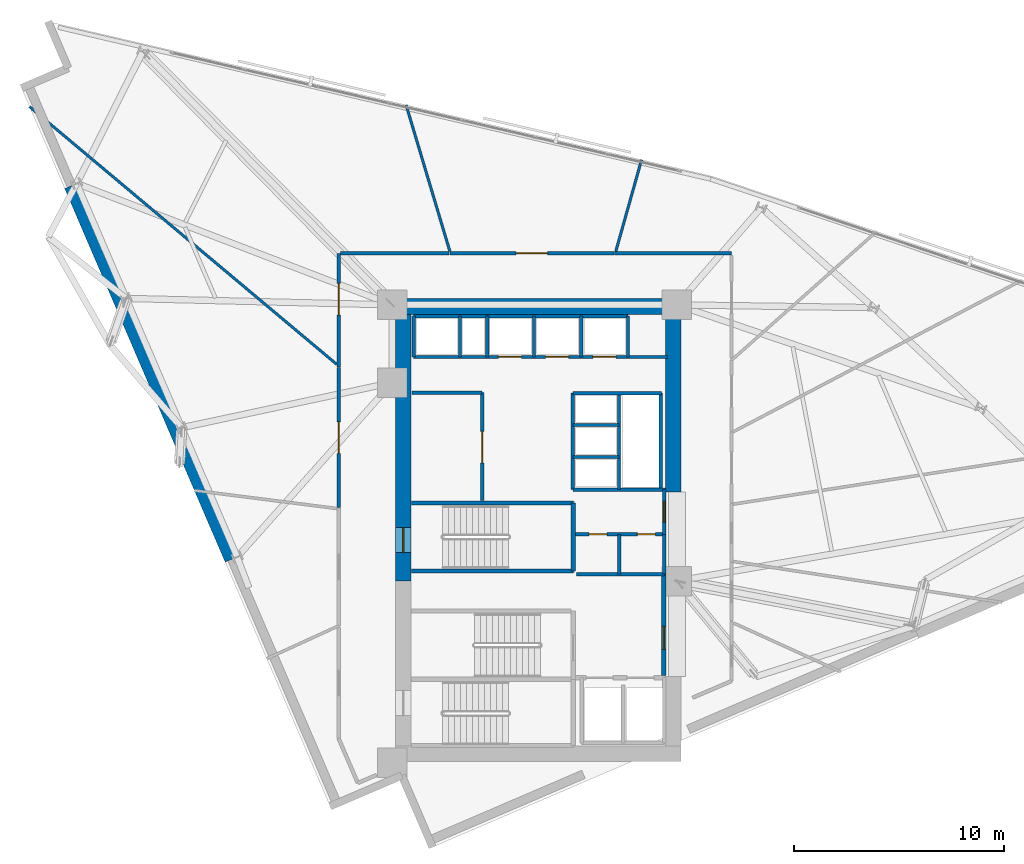
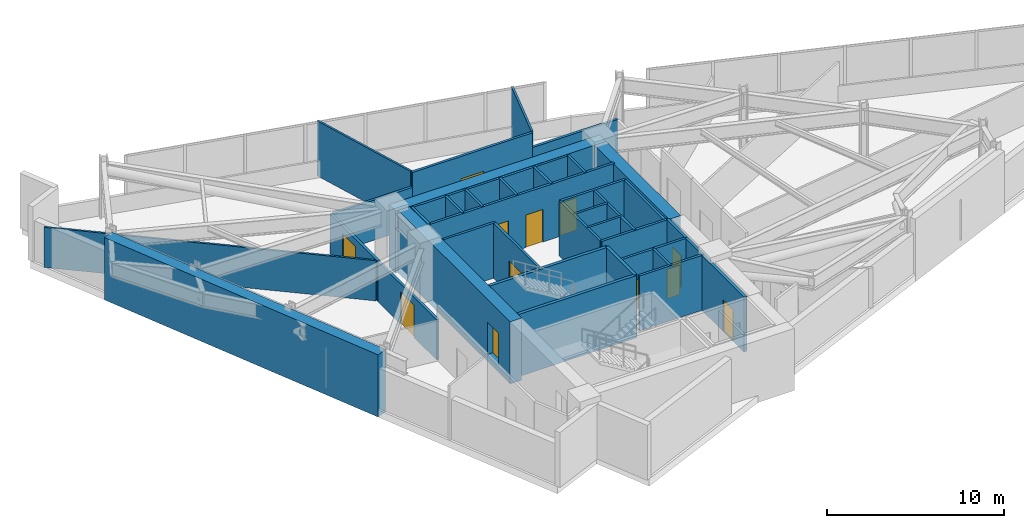
# One storey, part 9 of 14: 39 walls, 12 doors, 12 openings.
"""IFC4 building model written with IfcOpenShell, lengths in metres."""

from ifc_helpers import new_model, si_unit, direction, frame, frame_2d, origin, place, context, subcontext, project, spatial, rectangle, extrude, material, layer, layer_set, type_object, element, fill, save


model = new_model("IFC4")

# Units and contexts
model_context = context("Model", 3, precision=1e-05, world=origin(), true_north=direction((0.0, 1.0)))
body_context = subcontext(model_context, "Body", "Model", "MODEL_VIEW")
ifc_project = project(units=[si_unit("LENGTHUNIT", "METRE"), si_unit("AREAUNIT", "SQUARE_METRE"), si_unit("VOLUMEUNIT", "CUBIC_METRE"), si_unit("PLANEANGLEUNIT", "RADIAN"), si_unit("MASSUNIT", "GRAM", prefix="KILO")], contexts=[model_context])

# Site, building, storey
site_placement = place(None, origin())
site = spatial("IfcSite", under=ifc_project, at=site_placement, CompositionType="ELEMENT")
building_placement = place(site_placement, origin())
building = spatial("IfcBuilding", under=site, at=building_placement, Name="Narakoshi Arena Tower", CompositionType="ELEMENT")
storey_placement = place(building_placement, frame((0.0, 0.0, 196.699951171875)))
storey = spatial("IfcBuildingStorey", under=building, at=storey_placement, Name="L53", CompositionType="ELEMENT", Elevation=196.699951171875)

# Wall, opening, door
ifc_material_1 = material(Name="Concrete C50/60", Category="concrete")
ifc_layer_1 = layer(ifc_material_1, 0.75)
ifc_layer_set_1 = layer_set([ifc_layer_1], Name="Concrete C50/60")
wall_type_1 = type_object("IfcWallType", Name="WL-CORE-750", PredefinedType="SHEAR", material=ifc_layer_set_1)
wall_1_placement = place(storey_placement, frame((72.52490234375, 43.35009765625, -0.5), z_axis=(0.0, 0.0, 1.0), x_axis=(0.0, 1.0, 0.0)))
wall_1 = element("IfcWall", 1, at=wall_1_placement, inside=storey, type_object=wall_type_1, Name="L53 Main Core Shear Wall CW-MN-W", PredefinedType="SHEAR", context=body_context, shape_type="SweptSolid", body=[
    extrude(rectangle(XDim=12.699951171875, YDim=0.75, at=frame_2d((6.35009765625, 0.0))), origin(), (0.0, 0.0, 1.0), 4.300048828125),
])
opening_1_placement = place(wall_1_placement, frame((1.35009765625, 0.0, 0.5)))
opening_1 = element("IfcOpeningElement", 2, at=opening_1_placement, cuts=wall_1, Name="Opening D-03", PredefinedType="OPENING", context=body_context, shape_type="SweptSolid", body=[
    extrude(rectangle(XDim=1.199951171875, YDim=2.199951171875, at=frame_2d((0.60009765625, 1.10009765625))), frame((0.0, 0.385009765625, 0.0), z_axis=(0.0, -1.0, 0.0), x_axis=(1.0, 0.0, 0.0)), (0.0, 0.0, 1.0), 0.77001953125),
])
ifc_material_2 = material(Name="Painted galvanized steel", Category="steel")
door_type_1 = type_object("IfcDoorType", Name="DR-STR-1200", OperationType="NOTDEFINED", PredefinedType="USERDEFINED", material=ifc_material_2)
door_1_placement = place(opening_1_placement, frame((1.199951171875, 0.0, 0.0), z_axis=(0.0, 0.0, 1.0), x_axis=(-1.0, 0.0, 0.0)))
door_1 = element("IfcDoor", 3, at=door_1_placement, inside=storey, type_object=door_type_1, Name="DR-L53-006", ObjectType="EXITDOOR", OperationType="SINGLE_SWING_LEFT", OverallHeight=2.199951171875, OverallWidth=1.199951171875, PredefinedType="USERDEFINED", context=body_context, shape_type="SweptSolid", body=[
    extrude(rectangle(XDim=1.199951171875, YDim=2.199951171875, at=frame_2d((0.60009765625, 1.10009765625))), frame((0.0, 0.02490234375, 0.0), z_axis=(0.0, -1.0, 0.0), x_axis=(1.0, 0.0, 0.0)), (0.0, 0.0, 1.0), 0.050048828125),
])
fill(opening_1, door_1)

# Walls
wall_2_placement = place(storey_placement, frame((72.0, 56.425048828125, -0.5), z_axis=(0.0, 0.0, 1.0), x_axis=(1.0, 0.0, 0.0)))
element("IfcWall", 4, at=wall_2_placement, inside=storey, type_object=wall_type_1, Name="L53 Main Core Shear Wall CW-MN-N", PredefinedType="SHEAR", context=body_context, shape_type="SweptSolid", body=[
    extrude(rectangle(XDim=13.75, YDim=0.75, at=frame_2d((6.875, 0.0))), origin(), (0.0, 0.0, 1.0), 4.300048828125),
])
wall_3_placement = place(storey_placement, frame((85.375, 47.60009765625, -0.5), z_axis=(0.0, 0.0, 1.0), x_axis=(0.0, 1.0, 0.0)))
element("IfcWall", 5, at=wall_3_placement, inside=storey, type_object=wall_type_1, Name="L53 Main Core Shear Wall CW-MN-E", PredefinedType="SHEAR", context=body_context, shape_type="SweptSolid", body=[
    extrude(rectangle(XDim=8.449951171875, YDim=0.75, at=frame_2d((4.22509765625, 0.0))), origin(), (0.0, 0.0, 1.0), 4.300048828125),
])

# Wall, opening, door
ifc_material_3 = material(Name="Gypsum plasterboard fire-rated partition")
ifc_layer_2 = layer(ifc_material_3, 0.1650390625)
ifc_layer_set_2 = layer_set([ifc_layer_2], Name="Gypsum plasterboard fire-rated partition")
wall_type_2 = type_object("IfcWallType", Name="WL-CORR-165", PredefinedType="PARTITIONING", material=ifc_layer_set_2)
wall_4_placement = place(storey_placement, frame((84.949951171875, 45.580078125, 0.0), z_axis=(0.0, 0.0, 1.0), x_axis=(0.0, 1.0, 0.0)))
wall_4 = element("IfcWall", 6, at=wall_4_placement, inside=storey, type_object=wall_type_2, Name="L53 Core Wall CPAS-E", PredefinedType="PARTITIONING", context=body_context, shape_type="SweptSolid", body=[
    extrude(rectangle(XDim=2.119873046875, YDim=0.1650390625, at=frame_2d((1.06005859375, 0.0))), origin(), (0.0, 0.0, 1.0), 3.800048828125),
])
opening_2_placement = place(wall_4_placement, frame((0.56005859375, 0.0, 0.0)))
opening_2 = element("IfcOpeningElement", 7, at=opening_2_placement, cuts=wall_4, Name="Opening D-06", PredefinedType="OPENING", context=body_context, shape_type="SweptSolid", body=[
    extrude(rectangle(XDim=1.0, YDim=2.199951171875, at=frame_2d((0.5, 1.10009765625))), frame((0.0, 0.092529296875, 0.0), z_axis=(0.0, -1.0, 0.0), x_axis=(1.0, 0.0, 0.0)), (0.0, 0.0, 1.0), 0.18505859375),
])
ifc_material_4 = material(Name="Stained oak solid-core timber", Category="wood")
door_type_2 = type_object("IfcDoorType", Name="DR-OFF-1000", OperationType="NOTDEFINED", PredefinedType="DOOR", material=ifc_material_4)
door_2_placement = place(opening_2_placement, frame((1.0, 0.0, 0.0), z_axis=(0.0, 0.0, 1.0), x_axis=(-1.0, 0.0, 0.0)))
door_2 = element("IfcDoor", 8, at=door_2_placement, inside=storey, type_object=door_type_2, Name="DR-L53-007", OperationType="SINGLE_SWING_LEFT", OverallHeight=2.199951171875, OverallWidth=1.0, PredefinedType="DOOR", context=body_context, shape_type="SweptSolid", body=[
    extrude(rectangle(XDim=1.0, YDim=2.199951171875, at=frame_2d((0.5, 1.10009765625))), frame((0.0, 0.02490234375, 0.0), z_axis=(0.0, -1.0, 0.0), x_axis=(1.0, 0.0, 0.0)), (0.0, 0.0, 1.0), 0.050048828125),
])
fill(opening_2, door_2)

# Wall
wall_5_placement = place(storey_placement, frame((88.14990234375, 58.949951171875, 0.0), z_axis=(0.0, 0.0, 1.0), x_axis=(-1.0, 0.0, 0.0)))
element("IfcWall", 9, at=wall_5_placement, inside=storey, type_object=wall_type_2, Name="L53 Corridor Partition 08-1", PredefinedType="PARTITIONING", context=body_context, shape_type="SweptSolid", body=[
    extrude(rectangle(XDim=5.572265625, YDim=0.1650390625, at=frame_2d((2.7861328125, 0.0))), origin(), (0.0, 0.0, 1.0), 2.777099609375),
])

# Wall, opening, door
wall_6_placement = place(storey_placement, frame((82.552490234375, 58.949951171875, 0.0), z_axis=(0.0, 0.0, 1.0), x_axis=(-1.0, 0.0, 0.0)))
wall_6 = element("IfcWall", 10, at=wall_6_placement, inside=storey, type_object=wall_type_2, Name="L53 Corridor Partition 09-1", PredefinedType="PARTITIONING", context=body_context, shape_type="SweptSolid", body=[
    extrude(rectangle(XDim=7.815673828125, YDim=0.1650390625, at=frame_2d((3.90771484375, 0.0))), origin(), (0.0, 0.0, 1.0), 3.800048828125),
])
opening_3_placement = place(wall_6_placement, frame((3.157958984375, 0.0, 0.0)))
opening_3 = element("IfcOpeningElement", 11, at=opening_3_placement, cuts=wall_6, Name="Opening D-09", PredefinedType="OPENING", context=body_context, shape_type="SweptSolid", body=[
    extrude(rectangle(XDim=1.5, YDim=2.25, at=frame_2d((0.75, 1.125))), frame((0.0, 0.092529296875, 0.0), z_axis=(0.0, -1.0, 0.0), x_axis=(1.0, 0.0, 0.0)), (0.0, 0.0, 1.0), 0.18505859375),
])
door_type_3 = type_object("IfcDoorType", Name="DR-PLT-1500", OperationType="DOUBLE_DOOR_SINGLE_SWING", PredefinedType="DOOR", material=ifc_material_2)
door_3_placement = place(opening_3_placement, frame((1.5, 0.0, 0.0), z_axis=(0.0, 0.0, 1.0), x_axis=(-1.0, 0.0, 0.0)))
door_3 = element("IfcDoor", 12, at=door_3_placement, inside=storey, type_object=door_type_3, Name="DR-L53-022", OperationType="DOUBLE_DOOR_SINGLE_SWING", OverallHeight=2.25, OverallWidth=1.5, PredefinedType="DOOR", context=body_context, shape_type="SweptSolid", body=[
    extrude(rectangle(XDim=1.5, YDim=2.25, at=frame_2d((0.75, 1.125))), frame((0.0, 0.02490234375, 0.0), z_axis=(0.0, -1.0, 0.0), x_axis=(1.0, 0.0, 0.0)), (0.0, 0.0, 1.0), 0.050048828125),
])
fill(opening_3, door_3)

wall_7_placement = place(storey_placement, frame((69.449951171875, 58.949951171875, 0.0), z_axis=(0.0, 0.0, 1.0), x_axis=(0.0, -1.0, 0.0)))
wall_7 = element("IfcWall", 13, at=wall_7_placement, inside=storey, type_object=wall_type_2, Name="L53 Corridor Partition 10-1", PredefinedType="PARTITIONING", context=body_context, shape_type="SweptSolid", body=[
    extrude(rectangle(XDim=5.40625, YDim=0.1650390625, at=frame_2d((2.703125, 0.0))), origin(), (0.0, 0.0, 1.0), 2.777099609375),
])
opening_4_placement = place(wall_7_placement, frame((1.42724609375, 0.0, 0.0)))
opening_4 = element("IfcOpeningElement", 14, at=opening_4_placement, cuts=wall_7, Name="Opening D-09", PredefinedType="OPENING", context=body_context, shape_type="SweptSolid", body=[
    extrude(rectangle(XDim=1.5, YDim=2.25, at=frame_2d((0.75, 1.125))), frame((0.0, 0.092529296875, 0.0), z_axis=(0.0, -1.0, 0.0), x_axis=(1.0, 0.0, 0.0)), (0.0, 0.0, 1.0), 0.18505859375),
])
door_4_placement = place(opening_4_placement, frame((1.5, 0.0, 0.0), z_axis=(0.0, 0.0, 1.0), x_axis=(-1.0, 0.0, 0.0)))
door_4 = element("IfcDoor", 15, at=door_4_placement, inside=storey, type_object=door_type_3, Name="DR-L53-023", OperationType="DOUBLE_DOOR_SINGLE_SWING", OverallHeight=2.25, OverallWidth=1.5, PredefinedType="DOOR", context=body_context, shape_type="SweptSolid", body=[
    extrude(rectangle(XDim=1.5, YDim=2.25, at=frame_2d((0.75, 1.125))), frame((0.0, 0.02490234375, 0.0), z_axis=(0.0, -1.0, 0.0), x_axis=(1.0, 0.0, 0.0)), (0.0, 0.0, 1.0), 0.050048828125),
])
fill(opening_4, door_4)

# Wall
wall_8_placement = place(storey_placement, frame((74.711669921875, 58.949951171875, 0.0), z_axis=(0.0, 0.0, 1.0), x_axis=(-1.0, 0.0, 0.0)))
element("IfcWall", 16, at=wall_8_placement, inside=storey, type_object=wall_type_2, Name="L53 Corridor Partition 10-2", PredefinedType="PARTITIONING", context=body_context, shape_type="SweptSolid", body=[
    extrude(rectangle(XDim=5.167236328125, YDim=0.1650390625, at=frame_2d((2.58349609375, 0.0))), origin(), (0.0, 0.0, 1.0), 2.777099609375),
])

# Wall, opening, door
wall_9_placement = place(storey_placement, frame((69.449951171875, 53.512451171875, 0.0), z_axis=(0.0, 0.0, 1.0), x_axis=(0.0, -1.0, 0.0)))
wall_9 = element("IfcWall", 17, at=wall_9_placement, inside=storey, type_object=wall_type_2, Name="L53 Corridor Partition 11-1", PredefinedType="PARTITIONING", context=body_context, shape_type="SweptSolid", body=[
    extrude(rectangle(XDim=6.657958984375, YDim=0.1650390625, at=frame_2d((3.3291015625, 0.0))), origin(), (0.0, 0.0, 1.0), 2.777099609375),
])
opening_5_placement = place(wall_9_placement, frame((2.5791015625, 0.0, 0.0)))
opening_5 = element("IfcOpeningElement", 18, at=opening_5_placement, cuts=wall_9, Name="Opening D-09", PredefinedType="OPENING", context=body_context, shape_type="SweptSolid", body=[
    extrude(rectangle(XDim=1.5, YDim=2.25, at=frame_2d((0.75, 1.125))), frame((0.0, 0.092529296875, 0.0), z_axis=(0.0, -1.0, 0.0), x_axis=(1.0, 0.0, 0.0)), (0.0, 0.0, 1.0), 0.18505859375),
])
door_5_placement = place(opening_5_placement, frame((1.5, 0.0, 0.0), z_axis=(0.0, 0.0, 1.0), x_axis=(-1.0, 0.0, 0.0)))
door_5 = element("IfcDoor", 19, at=door_5_placement, inside=storey, type_object=door_type_3, Name="DR-L53-024", OperationType="DOUBLE_DOOR_SINGLE_SWING", OverallHeight=2.25, OverallWidth=1.5, PredefinedType="DOOR", context=body_context, shape_type="SweptSolid", body=[
    extrude(rectangle(XDim=1.5, YDim=2.25, at=frame_2d((0.75, 1.125))), frame((0.0, 0.02490234375, 0.0), z_axis=(0.0, -1.0, 0.0), x_axis=(1.0, 0.0, 0.0)), (0.0, 0.0, 1.0), 0.050048828125),
])
fill(opening_5, door_5)

# Walls
ifc_material_5 = material(Name="Concrete C60/75", Category="concrete")
ifc_layer_3 = layer(ifc_material_5, 0.699951171875)
ifc_layer_set_3 = layer_set([ifc_layer_3], Name="Concrete C60/75")
wall_type_3 = type_object("IfcWallType", Name="WL-LEG-700", PredefinedType="SHEAR", material=ifc_layer_set_3)
wall_10_placement = place(storey_placement, frame((56.7275390625, 62.171875, -0.5), z_axis=(0.0, 0.0, 1.0), x_axis=(0.394736752992, -0.918794261974, 0.0)))
element("IfcWall", 20, at=wall_10_placement, inside=storey, type_object=wall_type_3, Name="L53 Architectural Concrete Structural Wall LEGB-2", PredefinedType="SHEAR", context=body_context, shape_type="SweptSolid", body=[
    extrude(rectangle(XDim=19.3525390625, YDim=0.699951171875, at=frame_2d((9.67626953125, 0.0))), origin(), (0.0, 0.0, 1.0), 4.300048828125),
])
ifc_layer_4 = layer(ifc_material_3, 0.125)
ifc_layer_set_4 = layer_set([ifc_layer_4], Name="Gypsum plasterboard fire-rated partition")
wall_type_4 = type_object("IfcWallType", Name="WL-PART-125", PredefinedType="PARTITIONING", material=ifc_layer_set_4)
wall_11_placement = place(storey_placement, frame((82.6416015625, 59.04443359375, 0.0), z_axis=(0.0, 0.0, 1.0), x_axis=(0.270597571844, 0.962692554304, 0.0)))
element("IfcWall", 21, at=wall_11_placement, inside=storey, type_object=wall_type_4, Name="L53 Inter-Room Partition 08-09", PredefinedType="PARTITIONING", context=body_context, shape_type="SweptSolid", body=[
    extrude(rectangle(XDim=4.5380859375, YDim=0.125, at=frame_2d((2.26904296875, 0.0))), origin(), (0.0, 0.0, 1.0), 3.800048828125),
])
wall_12_placement = place(storey_placement, frame((74.743408203125, 59.04443359375, 0.0), z_axis=(0.0, 0.0, 1.0), x_axis=(-0.286462199458, 0.958091544834, 0.0)))
element("IfcWall", 22, at=wall_12_placement, inside=storey, type_object=wall_type_4, Name="L53 Inter-Room Partition 09-10", PredefinedType="PARTITIONING", context=body_context, shape_type="SweptSolid", body=[
    extrude(rectangle(XDim=7.2841796875, YDim=0.125, at=frame_2d((3.64208984375, 0.0))), origin(), (0.0, 0.0, 1.0), 3.800048828125),
])
wall_13_placement = place(storey_placement, frame((69.35546875, 53.670166015625, 0.0), z_axis=(0.0, 0.0, 1.0), x_axis=(-0.766239280677, 0.642555339833, 0.0)))
element("IfcWall", 23, at=wall_13_placement, inside=storey, type_object=wall_type_4, Name="L53 Inter-Room Partition 10-11", PredefinedType="PARTITIONING", context=body_context, shape_type="SweptSolid", body=[
    extrude(rectangle(XDim=19.087646484375, YDim=0.125, at=frame_2d((9.5439453125, 0.0))), origin(), (0.0, 0.0, 1.0), 2.777099609375),
])
ifc_material_6 = material(Name="Concrete C40/50", Category="concrete")
ifc_layer_5 = layer(ifc_material_6, 0.280029296875)
ifc_layer_set_5 = layer_set([ifc_layer_5], Name="Concrete C40/50")
wall_type_5 = type_object("IfcWallType", Name="WL-RISER-280", PredefinedType="PLUMBINGWALL", material=ifc_layer_set_5)
wall_14_placement = place(storey_placement, frame((84.949951171875, 43.679931640625, 0.0), z_axis=(0.0, 0.0, 1.0), x_axis=(0.0, 1.0, 0.0)))
element("IfcWall", 24, at=wall_14_placement, inside=storey, type_object=wall_type_5, Name="L53 Core Wall RSR-E", PredefinedType="PLUMBINGWALL", context=body_context, shape_type="SweptSolid", body=[
    extrude(rectangle(XDim=1.900146484375, YDim=0.1650390625, at=frame_2d((0.9501953125, 0.0))), origin(), (0.0, 0.0, 1.0), 3.800048828125),
])

# Wall, openings, doors
wall_15_placement = place(storey_placement, frame((80.719970703125, 45.580078125, 0.0), z_axis=(0.0, 0.0, 1.0), x_axis=(1.0, 0.0, 0.0)))
wall_15 = element("IfcWall", 25, at=wall_15_placement, inside=storey, type_object=wall_type_5, Name="L53 Core Wall RSR-N", PredefinedType="PLUMBINGWALL", context=body_context, shape_type="SweptSolid", body=[
    extrude(rectangle(XDim=4.22998046875, YDim=0.159912109375, at=frame_2d((2.114990234375, 0.0))), origin(), (0.0, 0.0, 1.0), 3.800048828125),
])
opening_6_placement = place(wall_15_placement, frame((0.64990234375, 0.0, 0.0)))
opening_6 = element("IfcOpeningElement", 26, at=opening_6_placement, cuts=wall_15, Name="Opening D-10", PredefinedType="OPENING", context=body_context, shape_type="SweptSolid", body=[
    extrude(rectangle(XDim=0.85009765625, YDim=2.050048828125, at=frame_2d((0.425048828125, 1.02490234375))), frame((0.0, 0.08984375, 0.0), z_axis=(0.0, -1.0, 0.0), x_axis=(1.0, 0.0, 0.0)), (0.0, 0.0, 1.0), 0.179931640625),
])
opening_7_placement = place(wall_15_placement, frame((2.949951171875, 0.0, 0.0)))
opening_7 = element("IfcOpeningElement", 27, at=opening_7_placement, cuts=wall_15, Name="Opening D-10", PredefinedType="OPENING", context=body_context, shape_type="SweptSolid", body=[
    extrude(rectangle(XDim=0.85009765625, YDim=2.050048828125, at=frame_2d((0.425048828125, 1.02490234375))), frame((0.0, 0.08984375, 0.0), z_axis=(0.0, -1.0, 0.0), x_axis=(1.0, 0.0, 0.0)), (0.0, 0.0, 1.0), 0.179931640625),
])
door_type_4 = type_object("IfcDoorType", Name="DR-RSR-850", OperationType="NOTDEFINED", PredefinedType="DOOR", material=ifc_material_2)
door_6_placement = place(opening_6_placement, frame((0.85009765625, 0.0, 0.0), z_axis=(0.0, 0.0, 1.0), x_axis=(-1.0, 0.0, 0.0)))
door_6 = element("IfcDoor", 28, at=door_6_placement, inside=storey, type_object=door_type_4, Name="DR-L53-008", OperationType="SINGLE_SWING_LEFT", OverallHeight=2.050048828125, OverallWidth=0.85009765625, PredefinedType="DOOR", context=body_context, shape_type="SweptSolid", body=[
    extrude(rectangle(XDim=0.85009765625, YDim=2.050048828125, at=frame_2d((0.425048828125, 1.02490234375))), frame((0.0, 0.02490234375, 0.0), z_axis=(0.0, -1.0, 0.0), x_axis=(1.0, 0.0, 0.0)), (0.0, 0.0, 1.0), 0.050048828125),
])
fill(opening_6, door_6)
door_7_placement = place(opening_7_placement, frame((0.85009765625, 0.0, 0.0), z_axis=(0.0, 0.0, 1.0), x_axis=(-1.0, 0.0, 0.0)))
door_7 = element("IfcDoor", 29, at=door_7_placement, inside=storey, type_object=door_type_4, Name="DR-L53-009", OperationType="SINGLE_SWING_RIGHT", OverallHeight=2.050048828125, OverallWidth=0.85009765625, PredefinedType="DOOR", context=body_context, shape_type="SweptSolid", body=[
    extrude(rectangle(XDim=0.85009765625, YDim=2.050048828125, at=frame_2d((0.425048828125, 1.02490234375))), frame((0.0, 0.02490234375, 0.0), z_axis=(0.0, -1.0, 0.0), x_axis=(1.0, 0.0, 0.0)), (0.0, 0.0, 1.0), 0.050048828125),
])
fill(opening_7, door_7)

# Walls
wall_16_placement = place(storey_placement, frame((80.760009765625, 43.679931640625, 0.0), z_axis=(0.0, 0.0, 1.0), x_axis=(1.0, 0.0, 0.0)))
element("IfcWall", 30, at=wall_16_placement, inside=storey, type_object=wall_type_5, Name="L53 Core Wall RSR-S", PredefinedType="PLUMBINGWALL", context=body_context, shape_type="SweptSolid", body=[
    extrude(rectangle(XDim=4.18994140625, YDim=0.159912109375, at=frame_2d((2.094970703125, 0.0))), origin(), (0.0, 0.0, 1.0), 3.800048828125),
])
wall_17_placement = place(storey_placement, frame((82.800048828125, 43.679931640625, 0.0), z_axis=(0.0, 0.0, 1.0), x_axis=(0.0, 1.0, 0.0)))
element("IfcWall", 31, at=wall_17_placement, inside=storey, type_object=wall_type_5, Name="L53 Core Wall RSR-M", PredefinedType="PLUMBINGWALL", context=body_context, shape_type="SweptSolid", body=[
    extrude(rectangle(XDim=1.900146484375, YDim=0.159912109375, at=frame_2d((0.9501953125, 0.0))), origin(), (0.0, 0.0, 1.0), 3.800048828125),
])
for number, where, z_axis, x_axis, name in (
    (32, (80.60009765625, 49.260009765625, 0.0), (0.0, 0.0, 1.0), (1.0, 0.0, 0.0), "L53 Core Wall MR-D1"),
    (33, (80.60009765625, 50.780029296875, 0.0), (0.0, 0.0, 1.0), (1.0, 0.0, 0.0), "L53 Core Wall MR-D2"),
):
    element("IfcWall", number, at=place(storey_placement, frame(where, z_axis=z_axis, x_axis=x_axis)), inside=storey, type_object=wall_type_5, Name=name, PredefinedType="PLUMBINGWALL", context=body_context, shape_type="SweptSolid", body=[
        extrude(rectangle(XDim=2.199951171875, YDim=0.14990234375, at=frame_2d((1.10009765625, 0.0))), origin(), (0.0, 0.0, 1.0), 3.800048828125),
    ])
wall_18_placement = place(storey_placement, frame((82.800048828125, 47.699951171875, 0.0), z_axis=(0.0, 0.0, 1.0), x_axis=(0.0, 1.0, 0.0)))
element("IfcWall", 34, at=wall_18_placement, inside=storey, type_object=wall_type_5, Name="L53 Core Wall MR-E", PredefinedType="PLUMBINGWALL", context=body_context, shape_type="SweptSolid", body=[
    extrude(rectangle(XDim=4.60009765625, YDim=0.14990234375, at=frame_2d((2.300048828125, 0.0))), origin(), (0.0, 0.0, 1.0), 3.800048828125),
])
for number, where, z_axis, x_axis, name in (
    (35, (73.02001953125, 54.02001953125, 0.0), (0.0, 0.0, 1.0), (0.0, 1.0, 0.0), "L53 Core Wall OBS-W"),
    (36, (75.219970703125, 54.02001953125, 0.0), (0.0, 0.0, 1.0), (0.0, 1.0, 0.0), "L53 Core Wall OBS-M"),
):
    element("IfcWall", number, at=place(storey_placement, frame(where, z_axis=z_axis, x_axis=x_axis)), inside=storey, type_object=wall_type_5, Name=name, PredefinedType="PLUMBINGWALL", context=body_context, shape_type="SweptSolid", body=[
        extrude(rectangle(XDim=1.93994140625, YDim=0.14990234375, at=frame_2d((0.969970703125, 0.0))), origin(), (0.0, 0.0, 1.0), 3.800048828125),
    ])
for number, where, z_axis, x_axis, name in (
    (37, (78.75, 54.02001953125, 0.0), (0.0, 0.0, 1.0), (0.0, 1.0, 0.0), "L53 Core Wall HR-D1"),
    (38, (81.0, 54.02001953125, 0.0), (0.0, 0.0, 1.0), (0.0, 1.0, 0.0), "L53 Core Wall HR-D2"),
):
    element("IfcWall", number, at=place(storey_placement, frame(where, z_axis=z_axis, x_axis=x_axis)), inside=storey, type_object=wall_type_5, Name=name, PredefinedType="PLUMBINGWALL", context=body_context, shape_type="SweptSolid", body=[
        extrude(rectangle(XDim=1.9599609375, YDim=0.14990234375, at=frame_2d((0.97998046875, 0.0))), origin(), (0.0, 0.0, 1.0), 3.800048828125),
    ])

# Wall, opening, door
ifc_layer_6 = layer(ifc_material_1, 0.35009765625)
ifc_layer_set_6 = layer_set([ifc_layer_6], Name="Concrete C50/60")
wall_type_6 = type_object("IfcWallType", Name="WL-SHAFT-350", PredefinedType="SOLIDWALL", material=ifc_layer_set_6)
wall_19_placement = place(storey_placement, frame((84.919921875, 38.85009765625, 0.0), z_axis=(0.0, 0.0, 1.0), x_axis=(0.0, 1.0, 0.0)))
wall_19 = element("IfcWall", 39, at=wall_19_placement, inside=storey, type_object=wall_type_6, Name="L53 Core Wall FFLOB-E", PredefinedType="SOLIDWALL", context=body_context, shape_type="SweptSolid", body=[
    extrude(rectangle(XDim=4.829833984375, YDim=0.199951171875, at=frame_2d((2.4150390625, 0.0))), origin(), (0.0, 0.0, 1.0), 3.800048828125),
])
opening_8_placement = place(wall_19_placement, frame((1.25, 0.0, 0.0)))
opening_8 = element("IfcOpeningElement", 40, at=opening_8_placement, cuts=wall_19, Name="Opening D-04", PredefinedType="OPENING", context=body_context, shape_type="SweptSolid", body=[
    extrude(rectangle(XDim=1.10009765625, YDim=2.199951171875, at=frame_2d((0.550048828125, 1.10009765625))), frame((0.0, 0.10986328125, 0.0), z_axis=(0.0, -1.0, 0.0), x_axis=(1.0, 0.0, 0.0)), (0.0, 0.0, 1.0), 0.219970703125),
])
door_type_5 = type_object("IfcDoorType", Name="DR-FFL-1100", OperationType="NOTDEFINED", PredefinedType="DOOR", material=ifc_material_2)
door_8_placement = place(opening_8_placement, frame((1.10009765625, 0.0, 0.0), z_axis=(0.0, 0.0, 1.0), x_axis=(-1.0, 0.0, 0.0)))
door_8 = element("IfcDoor", 41, at=door_8_placement, inside=storey, type_object=door_type_5, Name="DR-L53-005", OperationType="SINGLE_SWING_RIGHT", OverallHeight=2.199951171875, OverallWidth=1.10009765625, PredefinedType="DOOR", context=body_context, shape_type="SweptSolid", body=[
    extrude(rectangle(XDim=1.10009765625, YDim=2.199951171875, at=frame_2d((0.550048828125, 1.10009765625))), frame((0.0, 0.02490234375, 0.0), z_axis=(0.0, -1.0, 0.0), x_axis=(1.0, 0.0, 0.0)), (0.0, 0.0, 1.0), 0.050048828125),
])
fill(opening_8, door_8)

# Walls
for number, where, z_axis, x_axis, name in (
    (42, (72.919921875, 43.830078125, -0.5), (0.0, 0.0, 1.0), (1.0, 0.0, 0.0), "L53 Core Wall ST3-S"),
    (43, (72.919921875, 47.070068359375, -0.5), (0.0, 0.0, 1.0), (1.0, 0.0, 0.0), "L53 Core Wall ST3-N"),
):
    element("IfcWall", number, at=place(storey_placement, frame(where, z_axis=z_axis, x_axis=x_axis)), inside=storey, type_object=wall_type_6, Name=name, PredefinedType="SOLIDWALL", context=body_context, shape_type="SweptSolid", body=[
        extrude(rectangle(XDim=7.7001953125, YDim=0.199951171875, at=frame_2d((3.85009765625, 0.0))), origin(), (0.0, 0.0, 1.0), 4.300048828125),
    ])
wall_20_placement = place(storey_placement, frame((80.6201171875, 43.830078125, -0.5), z_axis=(0.0, 0.0, 1.0), x_axis=(0.0, 1.0, 0.0)))
element("IfcWall", 44, at=wall_20_placement, inside=storey, type_object=wall_type_6, Name="L53 Core Wall ST3-E", PredefinedType="SOLIDWALL", context=body_context, shape_type="SweptSolid", body=[
    extrude(rectangle(XDim=3.239990234375, YDim=0.199951171875, at=frame_2d((1.6201171875, 0.0))), origin(), (0.0, 0.0, 1.0), 4.300048828125),
])

# Wall, opening, door
wall_21_placement = place(storey_placement, frame((76.280029296875, 47.179931640625, 0.0), z_axis=(0.0, 0.0, 1.0), x_axis=(0.0, 1.0, 0.0)))
wall_21 = element("IfcWall", 45, at=wall_21_placement, inside=storey, type_object=wall_type_6, Name="L53 Core Wall LR-E", PredefinedType="SOLIDWALL", context=body_context, shape_type="SweptSolid", body=[
    extrude(rectangle(XDim=5.14013671875, YDim=0.159912109375, at=frame_2d((2.570068359375, 0.0))), origin(), (0.0, 0.0, 1.0), 3.800048828125),
])
opening_9_placement = place(wall_21_placement, frame((1.800048828125, 0.0, 0.0)))
opening_9 = element("IfcOpeningElement", 46, at=opening_9_placement, cuts=wall_21, Name="Opening D-09", PredefinedType="OPENING", context=body_context, shape_type="SweptSolid", body=[
    extrude(rectangle(XDim=1.5, YDim=2.25, at=frame_2d((0.75, 1.125))), frame((0.0, 0.08984375, 0.0), z_axis=(0.0, -1.0, 0.0), x_axis=(1.0, 0.0, 0.0)), (0.0, 0.0, 1.0), 0.179931640625),
])
door_9_placement = place(opening_9_placement, frame((1.5, 0.0, 0.0), z_axis=(0.0, 0.0, 1.0), x_axis=(-1.0, 0.0, 0.0)))
door_9 = element("IfcDoor", 47, at=door_9_placement, inside=storey, type_object=door_type_3, Name="DR-L53-010", OperationType="DOUBLE_DOOR_SINGLE_SWING", OverallHeight=2.25, OverallWidth=1.5, PredefinedType="DOOR", context=body_context, shape_type="SweptSolid", body=[
    extrude(rectangle(XDim=1.5, YDim=2.25, at=frame_2d((0.75, 1.125))), frame((0.0, 0.02490234375, 0.0), z_axis=(0.0, -1.0, 0.0), x_axis=(1.0, 0.0, 0.0)), (0.0, 0.0, 1.0), 0.050048828125),
])
fill(opening_9, door_9)

# Walls
wall_22_placement = place(storey_placement, frame((72.949951171875, 52.320068359375, 0.0), z_axis=(0.0, 0.0, 1.0), x_axis=(1.0, 0.0, 0.0)))
element("IfcWall", 48, at=wall_22_placement, inside=storey, type_object=wall_type_6, Name="L53 Core Wall LR-N", PredefinedType="SOLIDWALL", context=body_context, shape_type="SweptSolid", body=[
    extrude(rectangle(XDim=3.330078125, YDim=0.14990234375, at=frame_2d((1.6650390625, 0.0))), origin(), (0.0, 0.0, 1.0), 3.800048828125),
])
wall_23_placement = place(storey_placement, frame((80.60009765625, 47.699951171875, 0.0), z_axis=(0.0, 0.0, 1.0), x_axis=(0.0, 1.0, 0.0)))
element("IfcWall", 49, at=wall_23_placement, inside=storey, type_object=wall_type_6, Name="L53 Core Wall MR-W", PredefinedType="SOLIDWALL", context=body_context, shape_type="SweptSolid", body=[
    extrude(rectangle(XDim=4.60009765625, YDim=0.159912109375, at=frame_2d((2.300048828125, 0.0))), origin(), (0.0, 0.0, 1.0), 3.800048828125),
])
wall_24_placement = place(storey_placement, frame((80.60009765625, 47.699951171875, 0.0), z_axis=(0.0, 0.0, 1.0), x_axis=(1.0, 0.0, 0.0)))
element("IfcWall", 50, at=wall_24_placement, inside=storey, type_object=wall_type_6, Name="L53 Core Wall MR-S", PredefinedType="SOLIDWALL", context=body_context, shape_type="SweptSolid", body=[
    extrude(rectangle(XDim=4.39990234375, YDim=0.159912109375, at=frame_2d((2.199951171875, 0.0))), origin(), (0.0, 0.0, 1.0), 3.800048828125),
])
wall_25_placement = place(storey_placement, frame((80.60009765625, 52.300048828125, 0.0), z_axis=(0.0, 0.0, 1.0), x_axis=(1.0, 0.0, 0.0)))
element("IfcWall", 51, at=wall_25_placement, inside=storey, type_object=wall_type_6, Name="L53 Core Wall MR-N", PredefinedType="SOLIDWALL", context=body_context, shape_type="SweptSolid", body=[
    extrude(rectangle(XDim=4.219970703125, YDim=0.159912109375, at=frame_2d((2.10986328125, 0.0))), origin(), (0.0, 0.0, 1.0), 3.800048828125),
])
wall_26_placement = place(storey_placement, frame((84.780029296875, 47.699951171875, 0.0), z_axis=(0.0, 0.0, 1.0), x_axis=(0.0, 1.0, 0.0)))
element("IfcWall", 52, at=wall_26_placement, inside=storey, type_object=wall_type_6, Name="L53 Core Wall MR-E2", PredefinedType="SOLIDWALL", context=body_context, shape_type="SweptSolid", body=[
    extrude(rectangle(XDim=4.60009765625, YDim=0.159912109375, at=frame_2d((2.300048828125, 0.0))), origin(), (0.0, 0.0, 1.0), 3.800048828125),
])

# Wall, openings, doors
wall_27_placement = place(storey_placement, frame((73.02001953125, 54.02001953125, 0.0), z_axis=(0.0, 0.0, 1.0), x_axis=(1.0, 0.0, 0.0)))
wall_27 = element("IfcWall", 53, at=wall_27_placement, inside=storey, type_object=wall_type_6, Name="L53 Core Wall NSHF-S", PredefinedType="SOLIDWALL", context=body_context, shape_type="SweptSolid", body=[
    extrude(rectangle(XDim=12.080078125, YDim=0.159912109375, at=frame_2d((6.0400390625, 0.0))), origin(), (0.0, 0.0, 1.0), 3.800048828125),
])
opening_10_placement = place(wall_27_placement, frame((4.030029296875, 0.0, 0.0)))
opening_10 = element("IfcOpeningElement", 54, at=opening_10_placement, cuts=wall_27, Name="Opening LD-01", PredefinedType="OPENING", context=body_context, shape_type="SweptSolid", body=[
    extrude(rectangle(XDim=1.10009765625, YDim=2.25, at=frame_2d((0.550048828125, 1.125))), frame((0.0, 0.08984375, 0.0), z_axis=(0.0, -1.0, 0.0), x_axis=(1.0, 0.0, 0.0)), (0.0, 0.0, 1.0), 0.179931640625),
])
opening_11_placement = place(wall_27_placement, frame((6.280029296875, 0.0, 0.0)))
opening_11 = element("IfcOpeningElement", 55, at=opening_11_placement, cuts=wall_27, Name="Opening LD-01", PredefinedType="OPENING", context=body_context, shape_type="SweptSolid", body=[
    extrude(rectangle(XDim=1.10009765625, YDim=2.25, at=frame_2d((0.550048828125, 1.125))), frame((0.0, 0.08984375, 0.0), z_axis=(0.0, -1.0, 0.0), x_axis=(1.0, 0.0, 0.0)), (0.0, 0.0, 1.0), 0.179931640625),
])
opening_12_placement = place(wall_27_placement, frame((8.530029296875, 0.0, 0.0)))
opening_12 = element("IfcOpeningElement", 56, at=opening_12_placement, cuts=wall_27, Name="Opening LD-01", PredefinedType="OPENING", context=body_context, shape_type="SweptSolid", body=[
    extrude(rectangle(XDim=1.10009765625, YDim=2.25, at=frame_2d((0.550048828125, 1.125))), frame((0.0, 0.08984375, 0.0), z_axis=(0.0, -1.0, 0.0), x_axis=(1.0, 0.0, 0.0)), (0.0, 0.0, 1.0), 0.179931640625),
])
ifc_material_7 = material(Name="Brushed bronze stainless steel", Category="steel")
door_type_6 = type_object("IfcDoorType", Name="DR-LFT-1100", OperationType="DOUBLE_DOOR_SLIDING", PredefinedType="DOOR", material=ifc_material_7)
door_10_placement = place(opening_10_placement, origin())
door_10 = element("IfcDoor", 57, at=door_10_placement, inside=storey, type_object=door_type_6, Name="DR-L53-011", OperationType="DOUBLE_DOOR_SLIDING", OverallHeight=2.25, OverallWidth=1.10009765625, PredefinedType="DOOR", context=body_context, shape_type="SweptSolid", body=[
    extrude(rectangle(XDim=1.10009765625, YDim=2.25, at=frame_2d((0.550048828125, 1.125))), frame((0.0, 0.02490234375, 0.0), z_axis=(0.0, -1.0, 0.0), x_axis=(1.0, 0.0, 0.0)), (0.0, 0.0, 1.0), 0.050048828125),
])
fill(opening_10, door_10)
door_11_placement = place(opening_11_placement, origin())
door_11 = element("IfcDoor", 58, at=door_11_placement, inside=storey, type_object=door_type_6, Name="DR-L53-012", OperationType="DOUBLE_DOOR_SLIDING", OverallHeight=2.25, OverallWidth=1.10009765625, PredefinedType="DOOR", context=body_context, shape_type="SweptSolid", body=[
    extrude(rectangle(XDim=1.10009765625, YDim=2.25, at=frame_2d((0.550048828125, 1.125))), frame((0.0, 0.02490234375, 0.0), z_axis=(0.0, -1.0, 0.0), x_axis=(1.0, 0.0, 0.0)), (0.0, 0.0, 1.0), 0.050048828125),
])
fill(opening_11, door_11)
door_12_placement = place(opening_12_placement, origin())
door_12 = element("IfcDoor", 59, at=door_12_placement, inside=storey, type_object=door_type_6, Name="DR-L53-013", OperationType="DOUBLE_DOOR_SLIDING", OverallHeight=2.25, OverallWidth=1.10009765625, PredefinedType="DOOR", context=body_context, shape_type="SweptSolid", body=[
    extrude(rectangle(XDim=1.10009765625, YDim=2.25, at=frame_2d((0.550048828125, 1.125))), frame((0.0, 0.02490234375, 0.0), z_axis=(0.0, -1.0, 0.0), x_axis=(1.0, 0.0, 0.0)), (0.0, 0.0, 1.0), 0.050048828125),
])
fill(opening_12, door_12)

# Walls
wall_28_placement = place(storey_placement, frame((73.02001953125, 55.9599609375, 0.0), z_axis=(0.0, 0.0, 1.0), x_axis=(1.0, 0.0, 0.0)))
element("IfcWall", 60, at=wall_28_placement, inside=storey, type_object=wall_type_6, Name="L53 Core Wall OBS-N", PredefinedType="SOLIDWALL", context=body_context, shape_type="SweptSolid", body=[
    extrude(rectangle(XDim=3.5, YDim=0.14990234375, at=frame_2d((1.75, 0.0))), origin(), (0.0, 0.0, 1.0), 3.800048828125),
])
wall_29_placement = place(storey_placement, frame((76.52001953125, 54.02001953125, 0.0), z_axis=(0.0, 0.0, 1.0), x_axis=(0.0, 1.0, 0.0)))
element("IfcWall", 61, at=wall_29_placement, inside=storey, type_object=wall_type_6, Name="L53 Core Wall OBS-E", PredefinedType="SOLIDWALL", context=body_context, shape_type="SweptSolid", body=[
    extrude(rectangle(XDim=1.93994140625, YDim=0.14990234375, at=frame_2d((0.969970703125, 0.0))), origin(), (0.0, 0.0, 1.0), 3.800048828125),
])
wall_30_placement = place(storey_placement, frame((83.219970703125, 54.02001953125, 0.0), z_axis=(0.0, 0.0, 1.0), x_axis=(0.0, 1.0, 0.0)))
element("IfcWall", 62, at=wall_30_placement, inside=storey, type_object=wall_type_6, Name="L53 Core Wall HR-E", PredefinedType="SOLIDWALL", context=body_context, shape_type="SweptSolid", body=[
    extrude(rectangle(XDim=1.9599609375, YDim=0.14990234375, at=frame_2d((0.97998046875, 0.0))), origin(), (0.0, 0.0, 1.0), 3.800048828125),
])
wall_31_placement = place(storey_placement, frame((76.52001953125, 55.9599609375, 0.0), z_axis=(0.0, 0.0, 1.0), x_axis=(1.0, 0.0, 0.0)))
element("IfcWall", 63, at=wall_31_placement, inside=storey, type_object=wall_type_6, Name="L53 Core Wall HR-N", PredefinedType="SOLIDWALL", context=body_context, shape_type="SweptSolid", body=[
    extrude(rectangle(XDim=6.699951171875, YDim=0.14990234375, at=frame_2d((3.35009765625, 0.0))), origin(), (0.0, 0.0, 1.0), 3.800048828125),
])

save(model, "model.ifc")
